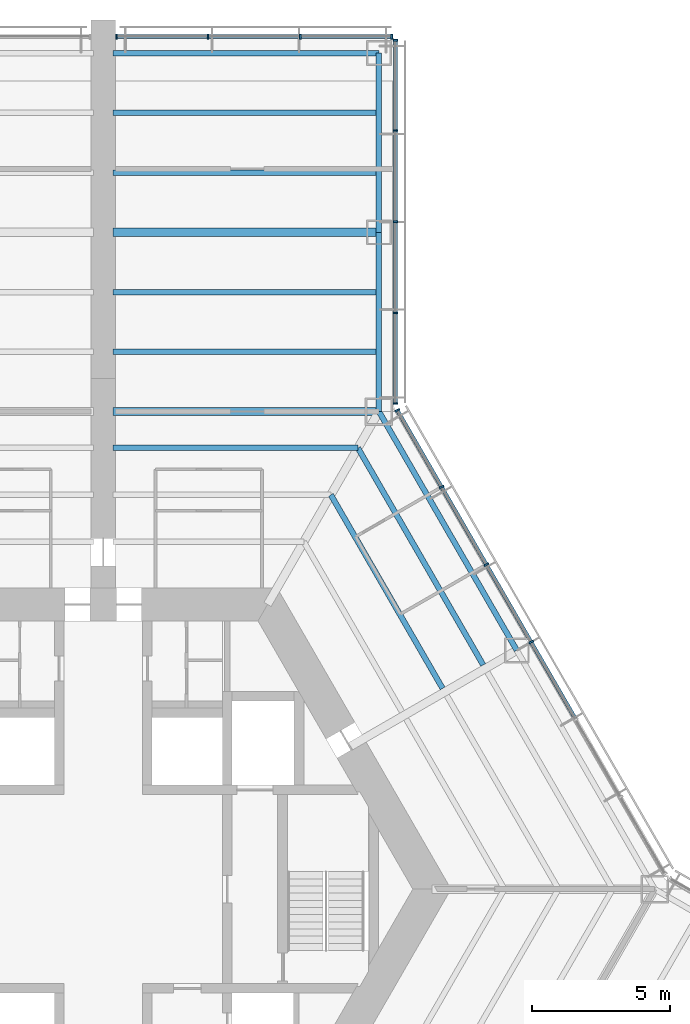
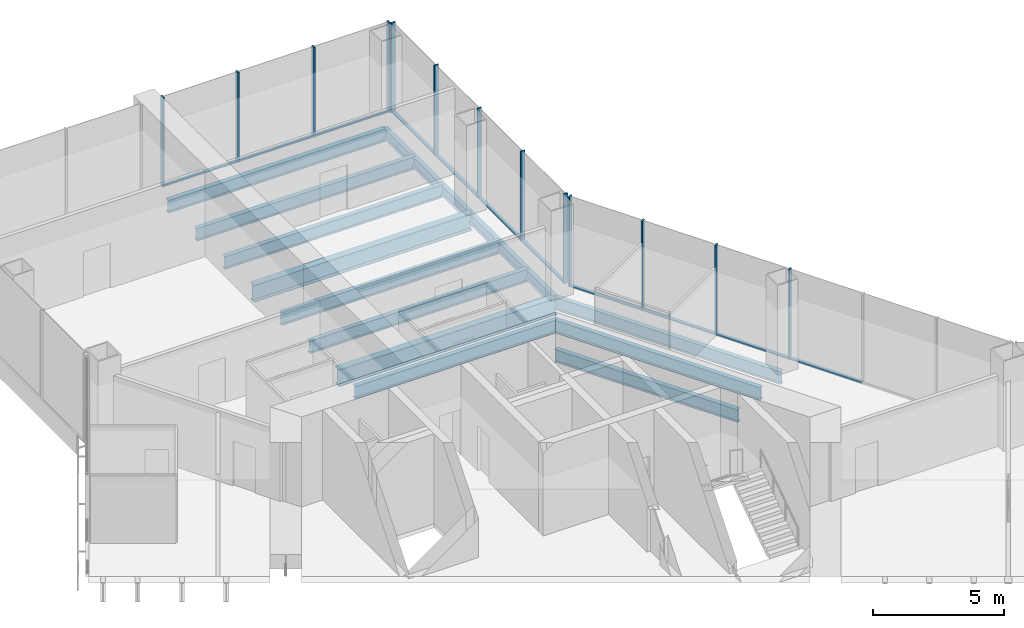
# One storey, part 7 of 16: 24 members, 13 beams, 3 elements without a shape of their own.
"""IFC4 building model written with IfcOpenShell, lengths in metres."""

from ifc_helpers import new_model, si_unit, direction, frame, origin, origin_2d, place, context, subcontext, project, spatial, rectangle, i_section, extrude, material, material_profile, profile_set, type_object, element, aggregate, save


model = new_model("IFC4")

# Units and contexts
model_context = context("Model", 3, precision=1e-05, world=origin(), true_north=direction((0.0, 1.0)))
body_context = subcontext(model_context, "Body", "Model", "MODEL_VIEW")
ifc_project = project(units=[si_unit("LENGTHUNIT", "METRE"), si_unit("AREAUNIT", "SQUARE_METRE"), si_unit("VOLUMEUNIT", "CUBIC_METRE"), si_unit("PLANEANGLEUNIT", "RADIAN"), si_unit("MASSUNIT", "GRAM", prefix="KILO")], contexts=[model_context])

# Site, building, storey
site_placement = place(None, origin())
site = spatial("IfcSite", under=ifc_project, at=site_placement, CompositionType="ELEMENT")
building_placement = place(site_placement, origin())
building = spatial("IfcBuilding", under=site, at=building_placement, Name="Kasaneha Research Tower", CompositionType="ELEMENT")
storey_placement = place(building_placement, frame((0.0, 0.0, 18.39990234375)))
storey = spatial("IfcBuildingStorey", under=building, at=storey_placement, Name="L05", CompositionType="ELEMENT", Elevation=18.39990234375)

# Beams
ifc_material_1 = material(Name="Steel SN490B", Category="steel")
ifc_material_profile_1 = material_profile(ifc_material_1, i_section(OverallWidth=0.199951171875, OverallDepth=0.60009765625, WebThickness=0.010986328125, FlangeThickness=0.01708984375, FilletRadius=0.012939453125, at=origin_2d()), Name="H-600x200x11x17")
ifc_profile_set_1 = profile_set([ifc_material_profile_1], Name="Steel SN490B")
beam_type_1 = type_object("IfcBeamType", Name="B1-1 secondary beam H-600x200x11x17", PredefinedType="JOIST", material=ifc_profile_set_1)
beam_1_placement = place(storey_placement, frame((8.256103515625, 14.300048828125, -0.5), z_axis=(0.499984030215, -0.866034623748, 0.0), x_axis=(0.866034623748, 0.499984030215, 0.0)))
element("IfcBeam", 1, at=beam_1_placement, inside=storey, type_object=beam_type_1, Name="Secondary beam RS030R2 L05", PredefinedType="JOIST", context=body_context, shape_type="SweptSolid", body=[
    extrude(i_section(OverallWidth=0.199951171875, OverallDepth=0.60009765625, WebThickness=0.010986328125, FlangeThickness=0.01708984375, FilletRadius=0.012939453125, at=origin_2d()), origin(), (0.0, 0.0, 1.0), 8.106201171875),
])
beam_2_placement = place(storey_placement, frame((9.237548828125, 16.0, -0.5), z_axis=(0.500010814234, -0.866019160093, 0.0), x_axis=(0.866019160093, 0.500010814234, 0.0)))
element("IfcBeam", 2, at=beam_2_placement, inside=storey, type_object=beam_type_1, Name="Secondary beam RS030R3 L05", PredefinedType="JOIST", context=body_context, shape_type="SweptSolid", body=[
    extrude(i_section(OverallWidth=0.199951171875, OverallDepth=0.60009765625, WebThickness=0.010986328125, FlangeThickness=0.01708984375, FilletRadius=0.012939453125, at=origin_2d()), origin(), (0.0, 0.0, 1.0), 9.087646484375),
])
beam_3_placement = place(storey_placement, frame((9.237548828125, 16.0, -0.5), z_axis=(-1.0, 0.0, 0.0), x_axis=(0.0, -1.0, 0.0)))
element("IfcBeam", 3, at=beam_3_placement, inside=storey, type_object=beam_type_1, Name="Secondary beam RS090L3 L05", PredefinedType="JOIST", context=body_context, shape_type="SweptSolid", body=[
    extrude(i_section(OverallWidth=0.199951171875, OverallDepth=0.60009765625, WebThickness=0.010986328125, FlangeThickness=0.01708984375, FilletRadius=0.012939453125, at=origin_2d()), origin(), (0.0, 0.0, 1.0), 8.887451171875),
])
ifc_material_2 = material(Name="Steel SN490B", Category="steel")
ifc_material_profile_2 = material_profile(ifc_material_2, i_section(OverallWidth=0.198974609375, OverallDepth=0.595947265625, WebThickness=0.010009765625, FlangeThickness=0.014892578125, FilletRadius=0.012939453125, at=origin_2d()), Name="H-596x199x10x15")
ifc_profile_set_2 = profile_set([ifc_material_profile_2], Name="Steel SN490B")
beam_type_2 = type_object("IfcBeamType", Name="B2-1 secondary beam H-596x199x10x15", PredefinedType="JOIST", material=ifc_profile_set_2)
for number, where, z_axis, x_axis, name in (
    (4, (10.0, 19.487060546875, -0.497802734375), (-1.0, 0.0, 0.0), (0.0, -1.0, 0.0), "Secondary beam WBAP1 L05"),
    (5, (10.0, 21.65380859375, -0.497802734375), (-1.0, 0.0, 0.0), (0.0, -1.0, 0.0), "Secondary beam WBAP2 L05"),
    (6, (10.0, 25.987060546875, -0.497802734375), (-1.0, 0.0, 0.0), (0.0, -1.0, 0.0), "Secondary beam WBAP3 L05"),
    (7, (10.0, 28.15380859375, -0.497802734375), (-1.0, 0.0, 0.0), (0.0, -1.0, 0.0), "Secondary beam WBAP4 L05"),
):
    element("IfcBeam", number, at=place(storey_placement, frame(where, z_axis=z_axis, x_axis=x_axis)), inside=storey, type_object=beam_type_2, Name=name, PredefinedType="JOIST", context=body_context, shape_type="SweptSolid", body=[
        extrude(i_section(OverallWidth=0.198974609375, OverallDepth=0.595947265625, WebThickness=0.010009765625, FlangeThickness=0.014892578125, FilletRadius=0.012939453125, at=origin_2d()), origin(), (0.0, 0.0, 1.0), 9.64990234375),
    ])

# Curtain wall, members
ifc_material_3 = material(Name="Glass and aluminium", Category="aluminium")
curtain_wall_type = type_object("IfcCurtainWallType", Name="Wet laboratory curtain wall", PredefinedType="USERDEFINED", material=ifc_material_3)
curtain_wall_1_placement = place(storey_placement, origin())
curtain_wall_1 = element("IfcCurtainWall", 8, at=curtain_wall_1_placement, inside=storey, type_object=curtain_wall_type, Name="CW-L1 L05 run 07a", ObjectType="UNITISED CURTAIN WALL", PredefinedType="USERDEFINED")
ifc_material_4 = material(Name="Aluminium 6063-T6", Category="aluminium")
ifc_material_profile_3 = material_profile(ifc_material_4, rectangle(XDim=0.06494140625, YDim=0.179931640625, at=origin_2d()), Name="CW-L1 mullion 65x180")
ifc_profile_set_3 = profile_set([ifc_material_profile_3], Name="Aluminium 6063-T6")
member_type_1 = type_object("IfcMemberType", Name="CW-L1 mullion", PredefinedType="MULLION", material=ifc_profile_set_3)
member_1_placement = place(storey_placement, frame((15.51953125, 8.960205078125, 0.0), z_axis=(0.0, 0.0, 1.0), x_axis=(-0.49999996188, 0.866025425793, 0.0)))
member_1 = element("IfcMember", 9, at=member_1_placement, type_object=member_type_1, Name="CW-L1 mullion 4", PredefinedType="MULLION", context=body_context, shape_type="SweptSolid", body=[
    extrude(rectangle(XDim=0.06494140625, YDim=0.179931640625, at=origin_2d()), origin(), (0.0, 0.0, 1.0), 4.2001953125),
])
member_2_placement = place(storey_placement, frame((13.896484375, 11.771728515625, 0.0), z_axis=(0.0, 0.0, 1.0), x_axis=(-0.49999996188, 0.866025425793, 0.0)))
member_2 = element("IfcMember", 10, at=member_2_placement, type_object=member_type_1, Name="CW-L1 mullion 5", PredefinedType="MULLION", context=body_context, shape_type="SweptSolid", body=[
    extrude(rectangle(XDim=0.06494140625, YDim=0.179931640625, at=origin_2d()), origin(), (0.0, 0.0, 1.0), 4.2001953125),
])
member_3_placement = place(storey_placement, frame((12.273193359375, 14.583251953125, 0.0), z_axis=(0.0, 0.0, 1.0), x_axis=(-0.49999996188, 0.866025425793, 0.0)))
member_3 = element("IfcMember", 11, at=member_3_placement, type_object=member_type_1, Name="CW-L1 mullion 6", PredefinedType="MULLION", context=body_context, shape_type="SweptSolid", body=[
    extrude(rectangle(XDim=0.06494140625, YDim=0.179931640625, at=origin_2d()), origin(), (0.0, 0.0, 1.0), 4.2001953125),
])
member_4_placement = place(storey_placement, frame((10.666259765625, 17.366455078125, 0.0), z_axis=(0.0, 0.0, 1.0), x_axis=(-0.49999996188, 0.866025425793, 0.0)))
member_4 = element("IfcMember", 12, at=member_4_placement, type_object=member_type_1, Name="CW-L1 mullion 7", PredefinedType="MULLION", context=body_context, shape_type="SweptSolid", body=[
    extrude(rectangle(XDim=0.06494140625, YDim=0.179931640625, at=origin_2d()), origin(), (0.0, 0.0, 1.0), 4.2001953125),
])

curtain_wall_2_placement = place(storey_placement, origin())
curtain_wall_2 = element("IfcCurtainWall", 13, at=curtain_wall_2_placement, inside=storey, type_object=curtain_wall_type, Name="CW-L1 L05 run 08a", ObjectType="UNITISED CURTAIN WALL", PredefinedType="USERDEFINED")
member_5_placement = place(storey_placement, frame((10.60009765625, 17.61376953125, 0.0), z_axis=(0.0, 0.0, 1.0), x_axis=(0.0, 1.0, 0.0)))
member_5 = element("IfcMember", 14, at=member_5_placement, type_object=member_type_1, Name="CW-L1 mullion 1", PredefinedType="MULLION", context=body_context, shape_type="SweptSolid", body=[
    extrude(rectangle(XDim=0.06494140625, YDim=0.179931640625, at=origin_2d()), origin(), (0.0, 0.0, 1.0), 4.2001953125),
])
member_6_placement = place(storey_placement, frame((10.60009765625, 20.89111328125, 0.0), z_axis=(0.0, 0.0, 1.0), x_axis=(0.0, 1.0, 0.0)))
member_6 = element("IfcMember", 15, at=member_6_placement, type_object=member_type_1, Name="CW-L1 mullion 2", PredefinedType="MULLION", context=body_context, shape_type="SweptSolid", body=[
    extrude(rectangle(XDim=0.06494140625, YDim=0.179931640625, at=origin_2d()), origin(), (0.0, 0.0, 1.0), 4.2001953125),
])
member_7_placement = place(storey_placement, frame((10.60009765625, 24.200927734375, 0.0), z_axis=(0.0, 0.0, 1.0), x_axis=(0.0, 1.0, 0.0)))
member_7 = element("IfcMember", 16, at=member_7_placement, type_object=member_type_1, Name="CW-L1 mullion 3", PredefinedType="MULLION", context=body_context, shape_type="SweptSolid", body=[
    extrude(rectangle(XDim=0.06494140625, YDim=0.179931640625, at=origin_2d()), origin(), (0.0, 0.0, 1.0), 4.2001953125),
])
member_8_placement = place(storey_placement, frame((10.60009765625, 27.5107421875, 0.0), z_axis=(0.0, 0.0, 1.0), x_axis=(0.0, 1.0, 0.0)))
member_8 = element("IfcMember", 17, at=member_8_placement, type_object=member_type_1, Name="CW-L1 mullion 4", PredefinedType="MULLION", context=body_context, shape_type="SweptSolid", body=[
    extrude(rectangle(XDim=0.06494140625, YDim=0.179931640625, at=origin_2d()), origin(), (0.0, 0.0, 1.0), 4.2001953125),
])
member_9_placement = place(storey_placement, frame((10.60009765625, 30.7880859375, 0.0), z_axis=(0.0, 0.0, 1.0), x_axis=(0.0, 1.0, 0.0)))
member_9 = element("IfcMember", 18, at=member_9_placement, type_object=member_type_1, Name="CW-L1 mullion 5", PredefinedType="MULLION", context=body_context, shape_type="SweptSolid", body=[
    extrude(rectangle(XDim=0.06494140625, YDim=0.179931640625, at=origin_2d()), origin(), (0.0, 0.0, 1.0), 4.2001953125),
])

curtain_wall_3_placement = place(storey_placement, origin())
curtain_wall_3 = element("IfcCurtainWall", 19, at=curtain_wall_3_placement, inside=storey, type_object=curtain_wall_type, Name="CW-L1 L05 run 09a", ObjectType="UNITISED CURTAIN WALL", PredefinedType="USERDEFINED")
member_10_placement = place(storey_placement, frame((10.467529296875, 30.92041015625, 0.0), z_axis=(0.0, 0.0, 1.0), x_axis=(-1.0, 0.0, 0.0)))
member_10 = element("IfcMember", 20, at=member_10_placement, type_object=member_type_1, Name="CW-L1 mullion 1", PredefinedType="MULLION", context=body_context, shape_type="SweptSolid", body=[
    extrude(rectangle(XDim=0.06494140625, YDim=0.179931640625, at=origin_2d()), origin(), (0.0, 0.0, 1.0), 4.2001953125),
])
member_11_placement = place(storey_placement, frame((7.14990234375, 30.92041015625, 0.0), z_axis=(0.0, 0.0, 1.0), x_axis=(-1.0, 0.0, 0.0)))
member_11 = element("IfcMember", 21, at=member_11_placement, type_object=member_type_1, Name="CW-L1 mullion 2", PredefinedType="MULLION", context=body_context, shape_type="SweptSolid", body=[
    extrude(rectangle(XDim=0.06494140625, YDim=0.179931640625, at=origin_2d()), origin(), (0.0, 0.0, 1.0), 4.2001953125),
])
member_12_placement = place(storey_placement, frame((3.800048828125, 30.92041015625, 0.0), z_axis=(0.0, 0.0, 1.0), x_axis=(-1.0, 0.0, 0.0)))
member_12 = element("IfcMember", 22, at=member_12_placement, type_object=member_type_1, Name="CW-L1 mullion 3", PredefinedType="MULLION", context=body_context, shape_type="SweptSolid", body=[
    extrude(rectangle(XDim=0.06494140625, YDim=0.179931640625, at=origin_2d()), origin(), (0.0, 0.0, 1.0), 4.2001953125),
])
member_13_placement = place(storey_placement, frame((0.482421875, 30.92041015625, 0.0), z_axis=(0.0, 0.0, 1.0), x_axis=(-1.0, 0.0, 0.0)))
member_13 = element("IfcMember", 23, at=member_13_placement, type_object=member_type_1, Name="CW-L1 mullion 4", PredefinedType="MULLION", context=body_context, shape_type="SweptSolid", body=[
    extrude(rectangle(XDim=0.06494140625, YDim=0.179931640625, at=origin_2d()), origin(), (0.0, 0.0, 1.0), 4.2001953125),
])

# Member
ifc_material_5 = material(Name="Aluminium 6063-T6", Category="aluminium")
ifc_material_profile_4 = material_profile(ifc_material_5, rectangle(XDim=0.139892578125, YDim=0.06494140625, at=origin_2d()), Name="CW-L1 transom 140x65")
ifc_profile_set_4 = profile_set([ifc_material_profile_4], Name="Aluminium 6063-T6")
member_type_2 = type_object("IfcMemberType", Name="CW-L1 transom", PredefinedType="USERDEFINED", material=ifc_profile_set_4)
member_14_placement = place(storey_placement, frame((17.12646484375, 6.177001953125, 0.03271484375), z_axis=(-0.499977104415, 0.866038622153, 0.0), x_axis=(-0.866038622153, -0.499977104415, 0.0)))
member_14 = element("IfcMember", 24, at=member_14_placement, type_object=member_type_2, Name="CW-L1 transom 3", ObjectType="TRANSOM", PredefinedType="USERDEFINED", context=body_context, shape_type="SweptSolid", body=[
    extrude(rectangle(XDim=0.139892578125, YDim=0.06494140625, at=origin_2d()), origin(), (0.0, 0.0, 1.0), 3.181396484375),
])

member_15_placement = place(storey_placement, frame((15.50341796875, 8.98828125, 0.03271484375), z_axis=(-0.500001430823, 0.866024577697, 0.0), x_axis=(-0.866024577697, -0.500001430823, 0.0)))
member_15 = element("IfcMember", 25, at=member_15_placement, type_object=member_type_2, Name="CW-L1 transom 4", ObjectType="TRANSOM", PredefinedType="USERDEFINED", context=body_context, shape_type="SweptSolid", body=[
    extrude(rectangle(XDim=0.139892578125, YDim=0.06494140625, at=origin_2d()), origin(), (0.0, 0.0, 1.0), 3.181640625),
])

member_16_placement = place(storey_placement, frame((13.880126953125, 11.7998046875, 0.03271484375), z_axis=(-0.499943876812, 0.866057804098, 0.0), x_axis=(-0.866057804098, -0.499943876812, 0.0)))
member_16 = element("IfcMember", 26, at=member_16_placement, type_object=member_type_2, Name="CW-L1 transom 5", ObjectType="TRANSOM", PredefinedType="USERDEFINED", context=body_context, shape_type="SweptSolid", body=[
    extrude(rectangle(XDim=0.139892578125, YDim=0.06494140625, at=origin_2d()), origin(), (0.0, 0.0, 1.0), 3.181396484375),
])

member_17_placement = place(storey_placement, frame((12.2568359375, 14.611328125, 0.03271484375), z_axis=(-0.499941702305, 0.866059059358, 0.0), x_axis=(-0.866059059358, -0.499941702305, 0.0)))
member_17 = element("IfcMember", 27, at=member_17_placement, type_object=member_type_2, Name="CW-L1 transom 6", ObjectType="TRANSOM", PredefinedType="USERDEFINED", context=body_context, shape_type="SweptSolid", body=[
    extrude(rectangle(XDim=0.139892578125, YDim=0.06494140625, at=origin_2d()), origin(), (0.0, 0.0, 1.0), 3.14892578125),
])

aggregate(curtain_wall_1, [member_1, member_2, member_3, member_4, member_14, member_15, member_16, member_17])

member_18_placement = place(storey_placement, frame((10.60009765625, 17.646240234375, 0.03271484375), z_axis=(0.0, 1.0, 0.0), x_axis=(-1.0, 0.0, 0.0)))
member_18 = element("IfcMember", 28, at=member_18_placement, type_object=member_type_2, Name="CW-L1 transom 1", ObjectType="TRANSOM", PredefinedType="USERDEFINED", context=body_context, shape_type="SweptSolid", body=[
    extrude(rectangle(XDim=0.139892578125, YDim=0.06494140625, at=origin_2d()), origin(), (0.0, 0.0, 1.0), 3.21240234375),
])

member_19_placement = place(storey_placement, frame((10.60009765625, 20.923583984375, 0.03271484375), z_axis=(0.0, 1.0, 0.0), x_axis=(-1.0, 0.0, 0.0)))
member_19 = element("IfcMember", 29, at=member_19_placement, type_object=member_type_2, Name="CW-L1 transom 2", ObjectType="TRANSOM", PredefinedType="USERDEFINED", context=body_context, shape_type="SweptSolid", body=[
    extrude(rectangle(XDim=0.139892578125, YDim=0.06494140625, at=origin_2d()), origin(), (0.0, 0.0, 1.0), 3.244873046875),
])

member_20_placement = place(storey_placement, frame((10.60009765625, 24.2333984375, 0.03271484375), z_axis=(0.0, 1.0, 0.0), x_axis=(-1.0, 0.0, 0.0)))
member_20 = element("IfcMember", 30, at=member_20_placement, type_object=member_type_2, Name="CW-L1 transom 3", ObjectType="TRANSOM", PredefinedType="USERDEFINED", context=body_context, shape_type="SweptSolid", body=[
    extrude(rectangle(XDim=0.139892578125, YDim=0.06494140625, at=origin_2d()), origin(), (0.0, 0.0, 1.0), 3.244873046875),
])

member_21_placement = place(storey_placement, frame((10.60009765625, 27.543212890625, 0.03271484375), z_axis=(0.0, 1.0, 0.0), x_axis=(-1.0, 0.0, 0.0)))
member_21 = element("IfcMember", 31, at=member_21_placement, type_object=member_type_2, Name="CW-L1 transom 4", ObjectType="TRANSOM", PredefinedType="USERDEFINED", context=body_context, shape_type="SweptSolid", body=[
    extrude(rectangle(XDim=0.139892578125, YDim=0.06494140625, at=origin_2d()), origin(), (0.0, 0.0, 1.0), 3.21240234375),
])

aggregate(curtain_wall_2, [member_5, member_6, member_7, member_8, member_9, member_18, member_19, member_20, member_21])

member_22_placement = place(storey_placement, frame((10.43505859375, 30.92041015625, 0.03271484375), z_axis=(-1.0, 0.0, 0.0), x_axis=(0.0, -1.0, 0.0)))
member_22 = element("IfcMember", 32, at=member_22_placement, type_object=member_type_2, Name="CW-L1 transom 1", ObjectType="TRANSOM", PredefinedType="USERDEFINED", context=body_context, shape_type="SweptSolid", body=[
    extrude(rectangle(XDim=0.139892578125, YDim=0.06494140625, at=origin_2d()), origin(), (0.0, 0.0, 1.0), 3.25244140625),
])

member_23_placement = place(storey_placement, frame((7.117431640625, 30.92041015625, 0.03271484375), z_axis=(-1.0, 0.0, 0.0), x_axis=(0.0, -1.0, 0.0)))
member_23 = element("IfcMember", 33, at=member_23_placement, type_object=member_type_2, Name="CW-L1 transom 2", ObjectType="TRANSOM", PredefinedType="USERDEFINED", context=body_context, shape_type="SweptSolid", body=[
    extrude(rectangle(XDim=0.139892578125, YDim=0.06494140625, at=origin_2d()), origin(), (0.0, 0.0, 1.0), 3.284912109375),
])

member_24_placement = place(storey_placement, frame((3.767578125, 30.92041015625, 0.03271484375), z_axis=(-1.0, 0.0, 0.0), x_axis=(0.0, -1.0, 0.0)))
member_24 = element("IfcMember", 34, at=member_24_placement, type_object=member_type_2, Name="CW-L1 transom 3", ObjectType="TRANSOM", PredefinedType="USERDEFINED", context=body_context, shape_type="SweptSolid", body=[
    extrude(rectangle(XDim=0.139892578125, YDim=0.06494140625, at=origin_2d()), origin(), (0.0, 0.0, 1.0), 3.252685546875),
])

aggregate(curtain_wall_3, [member_10, member_11, member_12, member_13, member_22, member_23, member_24])

# Beams
ifc_material_6 = material(Name="Steel SN490B", Category="steel")
ifc_material_profile_5 = material_profile(ifc_material_6, i_section(OverallWidth=0.300048828125, OverallDepth=0.7919921875, WebThickness=0.013916015625, FlangeThickness=0.02197265625, FilletRadius=0.01806640625, at=origin_2d()), Name="H-792x300x14x22")
ifc_profile_set_5 = profile_set([ifc_material_profile_5], Name="Steel SN490B")
beam_type_3 = type_object("IfcBeamType", Name="G3-1 plate edge girder H-792x300x14x22", PredefinedType="BEAM", material=ifc_profile_set_5)
beam_4_placement = place(storey_placement, frame((10.0, 17.320556640625, -0.595947265625), z_axis=(-1.0, 0.0, 0.0), x_axis=(0.0, -1.0, 0.0)))
element("IfcBeam", 35, at=beam_4_placement, inside=storey, type_object=beam_type_3, Name="Plate edge girder PEAP L05", PredefinedType="BEAM", context=body_context, shape_type="SweptSolid", body=[
    extrude(i_section(OverallWidth=0.300048828125, OverallDepth=0.7919921875, WebThickness=0.013916015625, FlangeThickness=0.02197265625, FilletRadius=0.01806640625, at=origin_2d()), origin(), (0.0, 0.0, 1.0), 9.64990234375),
])
ifc_material_7 = material(Name="Steel SN490B", Category="steel")
ifc_material_profile_6 = material_profile(ifc_material_7, i_section(OverallWidth=0.300048828125, OverallDepth=0.800048828125, WebThickness=0.013916015625, FlangeThickness=0.02587890625, FilletRadius=0.01806640625, at=origin_2d()), Name="H-800x300x14x26")
ifc_profile_set_6 = profile_set([ifc_material_profile_6], Name="Steel SN490B")
beam_type_4 = type_object("IfcBeamType", Name="G4-1 wing girder H-800x300x14x26", PredefinedType="BEAM", material=ifc_profile_set_6)
beam_5_placement = place(storey_placement, frame((10.0, 23.820556640625, -0.599853515625), z_axis=(-1.0, 0.0, 0.0), x_axis=(0.0, -1.0, 0.0)))
element("IfcBeam", 36, at=beam_5_placement, inside=storey, type_object=beam_type_4, Name="Wing girder WGAP L05", PredefinedType="BEAM", context=body_context, shape_type="SweptSolid", body=[
    extrude(i_section(OverallWidth=0.300048828125, OverallDepth=0.800048828125, WebThickness=0.013916015625, FlangeThickness=0.02587890625, FilletRadius=0.01806640625, at=origin_2d()), origin(), (0.0, 0.0, 1.0), 9.64990234375),
])
ifc_material_8 = material(Name="Steel SN490B", Category="steel")
ifc_material_profile_7 = material_profile(ifc_material_8, i_section(OverallWidth=0.199951171875, OverallDepth=0.60009765625, WebThickness=0.010986328125, FlangeThickness=0.01708984375, FilletRadius=0.012939453125, at=origin_2d()), Name="H-600x200x11x17")
ifc_profile_set_7 = profile_set([ifc_material_profile_7], Name="Steel SN490B")
beam_type_5 = type_object("IfcBeamType", Name="SB1-1 spandrel beam H-600x200x11x17", PredefinedType="SPANDREL", material=ifc_profile_set_7)
beam_6_placement = place(storey_placement, frame((10.0, 17.320556640625, -0.5), z_axis=(0.499993662806, -0.866029062534, 0.0), x_axis=(0.866029062534, 0.499993662806, 0.0)))
element("IfcBeam", 37, at=beam_6_placement, inside=storey, type_object=beam_type_5, Name="Spandrel beam SR030R L05", PredefinedType="SPANDREL", context=body_context, shape_type="SweptSolid", body=[
    extrude(i_section(OverallWidth=0.199951171875, OverallDepth=0.60009765625, WebThickness=0.010986328125, FlangeThickness=0.01708984375, FilletRadius=0.012939453125, at=origin_2d()), origin(), (0.0, 0.0, 1.0), 10.000244140625),
])
ifc_material_9 = material(Name="Steel SN490B", Category="steel")
ifc_material_profile_8 = material_profile(ifc_material_9, i_section(OverallWidth=0.199951171875, OverallDepth=0.5, WebThickness=0.010009765625, FlangeThickness=0.01611328125, FilletRadius=0.012939453125, at=origin_2d()), Name="H-500x200x10x16")
ifc_profile_set_8 = profile_set([ifc_material_profile_8], Name="Steel SN490B")
beam_type_6 = type_object("IfcBeamType", Name="SB2-1 spandrel beam H-500x200x10x16", PredefinedType="SPANDREL", material=ifc_profile_set_8)
for number, where, z_axis, x_axis, name in (
    (38, (10.0, 17.320556640625, -0.449951171875), (0.0, 1.0, 0.0), (-1.0, 0.0, 0.0), "Spandrel beam WSAP1 L05"),
    (39, (10.0, 23.820556640625, -0.449951171875), (0.0, 1.0, 0.0), (-1.0, 0.0, 0.0), "Spandrel beam WSAP2 L05"),
):
    element("IfcBeam", number, at=place(storey_placement, frame(where, z_axis=z_axis, x_axis=x_axis)), inside=storey, type_object=beam_type_6, Name=name, PredefinedType="SPANDREL", context=body_context, shape_type="SweptSolid", body=[
        extrude(i_section(OverallWidth=0.199951171875, OverallDepth=0.5, WebThickness=0.010009765625, FlangeThickness=0.01611328125, FilletRadius=0.012939453125, at=origin_2d()), origin(), (0.0, 0.0, 1.0), 6.5),
    ])
ifc_material_10 = material(Name="Steel SN490B", Category="steel")
ifc_material_profile_9 = material_profile(ifc_material_10, i_section(OverallWidth=0.199951171875, OverallDepth=0.60009765625, WebThickness=0.010986328125, FlangeThickness=0.01708984375, FilletRadius=0.012939453125, at=origin_2d()), Name="H-600x200x11x17")
ifc_profile_set_9 = profile_set([ifc_material_profile_9], Name="Steel SN490B")
beam_type_7 = type_object("IfcBeamType", Name="SB3-1 spandrel beam H-600x200x11x17", PredefinedType="SPANDREL", material=ifc_profile_set_9)
beam_7_placement = place(storey_placement, frame((10.0, 30.320556640625, -0.5), z_axis=(-1.0, 0.0, 0.0), x_axis=(0.0, -1.0, 0.0)))
element("IfcBeam", 40, at=beam_7_placement, inside=storey, type_object=beam_type_7, Name="Spandrel beam WTAP L05", PredefinedType="SPANDREL", context=body_context, shape_type="SweptSolid", body=[
    extrude(i_section(OverallWidth=0.199951171875, OverallDepth=0.60009765625, WebThickness=0.010986328125, FlangeThickness=0.01708984375, FilletRadius=0.012939453125, at=origin_2d()), origin(), (0.0, 0.0, 1.0), 9.64990234375),
])

save(model, "model.ifc")
